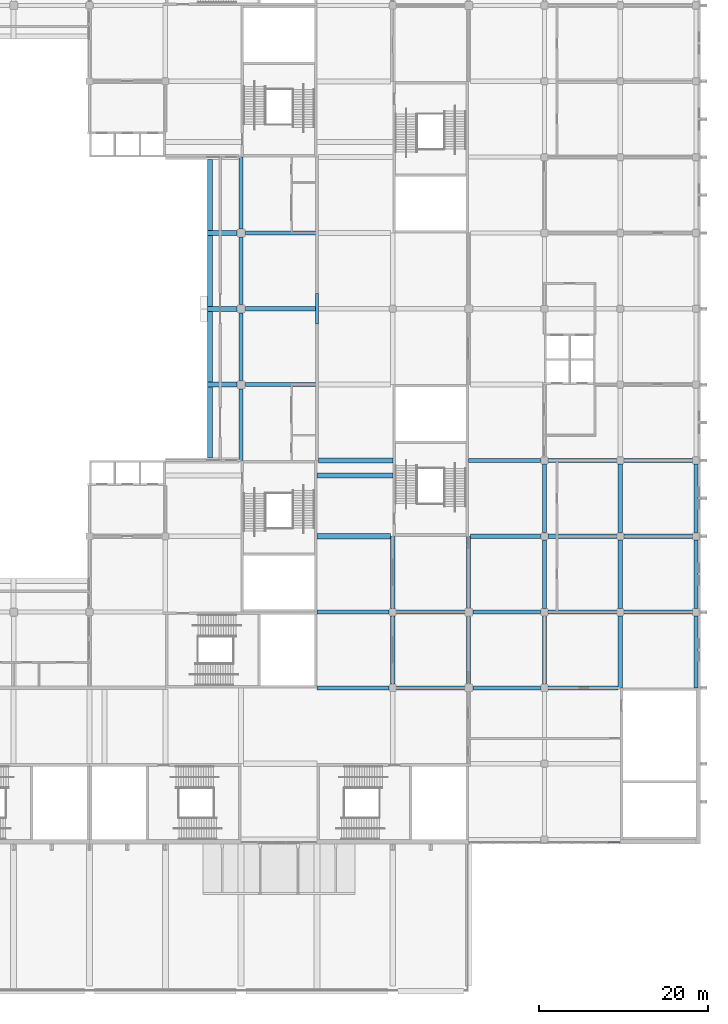
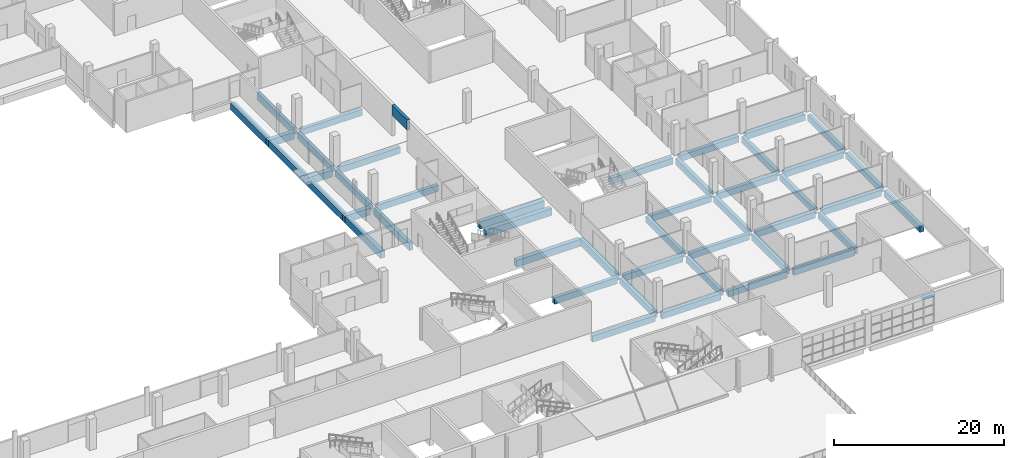
# One storey, part 50 of 168: 46 beams, 1 member, 1 element without a shape of its own.
"""IFC4 building model written with IfcOpenShell, lengths in metres."""

from ifc_helpers import new_model, si_unit, direction, frame, origin, origin_2d, place, context, subcontext, project, spatial, rectangle, extrude, material, material_profile, profile_set, type_object, element, aggregate, save


model = new_model("IFC4")

# Units and contexts
model_context = context("Model", 3, precision=1e-05, world=origin(), true_north=direction((0.0, 1.0)))
body_context = subcontext(model_context, "Body", "Model", "MODEL_VIEW")
ifc_project = project(units=[si_unit("LENGTHUNIT", "METRE"), si_unit("AREAUNIT", "SQUARE_METRE"), si_unit("VOLUMEUNIT", "CUBIC_METRE"), si_unit("PLANEANGLEUNIT", "RADIAN"), si_unit("MASSUNIT", "GRAM", prefix="KILO")], contexts=[model_context])

# Site, building, storey
site_placement = place(None, origin())
site = spatial("IfcSite", under=ifc_project, at=site_placement, CompositionType="ELEMENT")
building_placement = place(site_placement, origin())
building = spatial("IfcBuilding", under=site, at=building_placement, Name="Silverbay Arena", CompositionType="ELEMENT")
storey_placement = place(building_placement, frame((0.0, 0.0, 7.0)))
storey = spatial("IfcBuildingStorey", under=building, at=storey_placement, Name="L01", CompositionType="ELEMENT", Elevation=7.0)

# Beams
ifc_material_1 = material(Name="Concrete Grade C45", Category="concrete")
ifc_material_profile_1 = material_profile(ifc_material_1, rectangle(XDim=0.5, YDim=1.0, at=origin_2d()), Name="RC 500x1000")
ifc_profile_set_1 = profile_set([ifc_material_profile_1], Name="Concrete Grade C45")
beam_type_1 = type_object("IfcBeamType", Name="RC beam 500x1000", PredefinedType="BEAM", material=ifc_profile_set_1)
for number, where, z_axis, x_axis, name in (
    (1, (180.0, 63.0, -0.85009765625), (0.0, 1.0, 0.0), (-1.0, 0.0, 0.0), "Floor beam L01 310"),
    (2, (180.0, 90.5, -0.85009765625), (0.0, 1.0, 0.0), (-1.0, 0.0, 0.0), "Floor beam L01 313"),
):
    element("IfcBeam", number, at=place(storey_placement, frame(where, z_axis=z_axis, x_axis=x_axis)), inside=storey, type_object=beam_type_1, Name=name, PredefinedType="BEAM", context=body_context, shape_type="SweptSolid", body=[
        extrude(rectangle(XDim=0.5, YDim=1.0, at=origin_2d()), origin(), (0.0, 0.0, 1.0), 8.5),
    ])
beam_1_placement = place(storey_placement, frame((198.0, 45.449951171875, -0.85009765625), z_axis=(0.0, 1.0, 0.0), x_axis=(-1.0, 0.0, 0.0)))
element("IfcBeam", 3, at=beam_1_placement, inside=storey, type_object=beam_type_1, Name="Floor beam L01 317", PredefinedType="BEAM", context=body_context, shape_type="SweptSolid", body=[
    extrude(rectangle(XDim=0.5, YDim=1.0, at=origin_2d()), origin(), (0.0, 0.0, 1.0), 8.550048828125),
])
ifc_material_2 = material(Name="Concrete Grade C45", Category="concrete")
ifc_material_profile_2 = material_profile(ifc_material_2, rectangle(XDim=0.5, YDim=0.89990234375, at=origin_2d()), Name="RC 500x900")
ifc_profile_set_2 = profile_set([ifc_material_profile_2], Name="Concrete Grade C45")
beam_type_2 = type_object("IfcBeamType", Name="RC beam 500x900", PredefinedType="BEAM", material=ifc_profile_set_2)
beam_2_placement = place(storey_placement, frame((189.0, 36.0, -0.800048828125), z_axis=(1.0, 0.0, 0.0), x_axis=(0.0, 1.0, 0.0)))
element("IfcBeam", 4, at=beam_2_placement, inside=storey, type_object=beam_type_2, Name="Floor beam L01 023", PredefinedType="BEAM", context=body_context, shape_type="SweptSolid", body=[
    extrude(rectangle(XDim=0.5, YDim=0.89990234375, at=origin_2d()), origin(), (0.0, 0.0, 1.0), 8.550048828125),
])
for number, where, z_axis, x_axis, name in (
    (5, (198.449951171875, 36.0, -0.800048828125), (1.0, 0.0, 0.0), (0.0, 1.0, 0.0), "Floor beam L01 024"),
    (6, (207.5, 36.0, -0.800048828125), (1.0, 0.0, 0.0), (0.0, 1.0, 0.0), "Floor beam L01 025"),
):
    element("IfcBeam", number, at=place(storey_placement, frame(where, z_axis=z_axis, x_axis=x_axis)), inside=storey, type_object=beam_type_2, Name=name, PredefinedType="BEAM", context=body_context, shape_type="SweptSolid", body=[
        extrude(rectangle(XDim=0.5, YDim=0.89990234375, at=origin_2d()), origin(), (0.0, 0.0, 1.0), 8.050048828125),
    ])
beam_3_placement = place(storey_placement, frame((216.449951171875, 36.0, -0.800048828125), z_axis=(1.0, 0.0, 0.0), x_axis=(0.0, 1.0, 0.0)))
element("IfcBeam", 7, at=beam_3_placement, inside=storey, type_object=beam_type_2, Name="Floor beam L01 026", PredefinedType="BEAM", context=body_context, shape_type="SweptSolid", body=[
    extrude(rectangle(XDim=0.5, YDim=0.89990234375, at=origin_2d()), origin(), (0.0, 0.0, 1.0), 8.300048828125),
])
beam_4_placement = place(storey_placement, frame((189.0, 45.0, -0.800048828125), z_axis=(1.0, 0.0, 0.0), x_axis=(0.0, 1.0, 0.0)))
element("IfcBeam", 8, at=beam_4_placement, inside=storey, type_object=beam_type_2, Name="Floor beam L01 041", PredefinedType="BEAM", context=body_context, shape_type="SweptSolid", body=[
    extrude(rectangle(XDim=0.5, YDim=0.89990234375, at=origin_2d()), origin(), (0.0, 0.0, 1.0), 8.550048828125),
])
for number, where, z_axis, x_axis, name in (
    (9, (198.449951171875, 45.0, -0.800048828125), (1.0, 0.0, 0.0), (0.0, 1.0, 0.0), "Floor beam L01 042"),
    (10, (207.5, 45.0, -0.800048828125), (1.0, 0.0, 0.0), (0.0, 1.0, 0.0), "Floor beam L01 043"),
):
    element("IfcBeam", number, at=place(storey_placement, frame(where, z_axis=z_axis, x_axis=x_axis)), inside=storey, type_object=beam_type_2, Name=name, PredefinedType="BEAM", context=body_context, shape_type="SweptSolid", body=[
        extrude(rectangle(XDim=0.5, YDim=0.89990234375, at=origin_2d()), origin(), (0.0, 0.0, 1.0), 8.050048828125),
    ])
for number, where, z_axis, x_axis, name in (
    (11, (216.449951171875, 45.0, -0.800048828125), (1.0, 0.0, 0.0), (0.0, 1.0, 0.0), "Floor beam L01 044"),
    (12, (225.449951171875, 45.0, -0.800048828125), (1.0, 0.0, 0.0), (0.0, 1.0, 0.0), "Floor beam L01 045"),
):
    element("IfcBeam", number, at=place(storey_placement, frame(where, z_axis=z_axis, x_axis=x_axis)), inside=storey, type_object=beam_type_2, Name=name, PredefinedType="BEAM", context=body_context, shape_type="SweptSolid", body=[
        extrude(rectangle(XDim=0.5, YDim=0.89990234375, at=origin_2d()), origin(), (0.0, 0.0, 1.0), 8.10009765625),
    ])
beam_5_placement = place(storey_placement, frame((207.25, 54.0, -0.800048828125), z_axis=(1.0, 0.0, 0.0), x_axis=(0.0, 1.0, 0.0)))
element("IfcBeam", 13, at=beam_5_placement, inside=storey, type_object=beam_type_2, Name="Floor beam L01 055", PredefinedType="BEAM", context=body_context, shape_type="SweptSolid", body=[
    extrude(rectangle(XDim=0.5, YDim=0.89990234375, at=origin_2d()), origin(), (0.0, 0.0, 1.0), 8.300048828125),
])
for number, where, z_axis, x_axis, name in (
    (14, (216.449951171875, 54.0, -0.800048828125), (1.0, 0.0, 0.0), (0.0, 1.0, 0.0), "Floor beam L01 056"),
    (15, (225.449951171875, 54.0, -0.800048828125), (1.0, 0.0, 0.0), (0.0, 1.0, 0.0), "Floor beam L01 057"),
):
    element("IfcBeam", number, at=place(storey_placement, frame(where, z_axis=z_axis, x_axis=x_axis)), inside=storey, type_object=beam_type_2, Name=name, PredefinedType="BEAM", context=body_context, shape_type="SweptSolid", body=[
        extrude(rectangle(XDim=0.5, YDim=0.89990234375, at=origin_2d()), origin(), (0.0, 0.0, 1.0), 8.10009765625),
    ])
beam_6_placement = place(storey_placement, frame((207.0, 63.0, -0.800048828125), z_axis=(1.0, 0.0, 0.0), x_axis=(0.0, 1.0, 0.0)))
element("IfcBeam", 16, at=beam_6_placement, inside=storey, type_object=beam_type_2, Name="Floor beam L01 069", PredefinedType="BEAM", context=body_context, shape_type="SweptSolid", body=[
    extrude(rectangle(XDim=0.5, YDim=0.89990234375, at=origin_2d()), origin(), (0.0, 0.0, 1.0), 8.550048828125),
])
for number, where, z_axis, x_axis, name in (
    (17, (216.449951171875, 63.0, -0.800048828125), (1.0, 0.0, 0.0), (0.0, 1.0, 0.0), "Floor beam L01 070"),
    (18, (225.449951171875, 63.0, -0.800048828125), (1.0, 0.0, 0.0), (0.0, 1.0, 0.0), "Floor beam L01 071"),
):
    element("IfcBeam", number, at=place(storey_placement, frame(where, z_axis=z_axis, x_axis=x_axis)), inside=storey, type_object=beam_type_2, Name=name, PredefinedType="BEAM", context=body_context, shape_type="SweptSolid", body=[
        extrude(rectangle(XDim=0.5, YDim=0.89990234375, at=origin_2d()), origin(), (0.0, 0.0, 1.0), 8.10009765625),
    ])
for number, where, z_axis, x_axis, name in (
    (19, (180.5, 72.0, -0.800048828125), (1.0, 0.0, 0.0), (0.0, 1.0, 0.0), "Floor beam L01 079"),
    (20, (180.5, 81.0, -0.800048828125), (1.0, 0.0, 0.0), (0.0, 1.0, 0.0), "Floor beam L01 092"),
    (21, (180.5, 90.0, -0.800048828125), (1.0, 0.0, 0.0), (0.0, 1.0, 0.0), "Floor beam L01 105"),
):
    element("IfcBeam", number, at=place(storey_placement, frame(where, z_axis=z_axis, x_axis=x_axis)), inside=storey, type_object=beam_type_2, Name=name, PredefinedType="BEAM", context=body_context, shape_type="SweptSolid", body=[
        extrude(rectangle(XDim=0.5, YDim=0.89990234375, at=origin_2d()), origin(), (0.0, 0.0, 1.0), 8.300048828125),
    ])
for number, where, z_axis, x_axis, name in (
    (22, (180.0, 72.5, -0.800048828125), (0.0, 1.0, 0.0), (-1.0, 0.0, 0.0), "Floor beam L01 311"),
    (23, (180.0, 81.5, -0.800048828125), (0.0, 1.0, 0.0), (-1.0, 0.0, 0.0), "Floor beam L01 312"),
):
    element("IfcBeam", number, at=place(storey_placement, frame(where, z_axis=z_axis, x_axis=x_axis)), inside=storey, type_object=beam_type_2, Name=name, PredefinedType="BEAM", context=body_context, shape_type="SweptSolid", body=[
        extrude(rectangle(XDim=0.5, YDim=0.89990234375, at=origin_2d()), origin(), (0.0, 0.0, 1.0), 8.0),
    ])
beam_7_placement = place(storey_placement, frame((198.0, 36.449951171875, -0.800048828125), z_axis=(0.0, 1.0, 0.0), x_axis=(-1.0, 0.0, 0.0)))
element("IfcBeam", 24, at=beam_7_placement, inside=storey, type_object=beam_type_2, Name="Floor beam L01 316", PredefinedType="BEAM", context=body_context, shape_type="SweptSolid", body=[
    extrude(rectangle(XDim=0.5, YDim=0.89990234375, at=origin_2d()), origin(), (0.0, 0.0, 1.0), 8.10009765625),
])
beam_8_placement = place(storey_placement, frame((207.0, 36.5, -0.800048828125), z_axis=(0.0, 1.0, 0.0), x_axis=(-1.0, 0.0, 0.0)))
element("IfcBeam", 25, at=beam_8_placement, inside=storey, type_object=beam_type_2, Name="Floor beam L01 324", PredefinedType="BEAM", context=body_context, shape_type="SweptSolid", body=[
    extrude(rectangle(XDim=0.5, YDim=0.89990234375, at=origin_2d()), origin(), (0.0, 0.0, 1.0), 8.0),
])
beam_9_placement = place(storey_placement, frame((207.0, 45.5, -0.800048828125), z_axis=(0.0, 1.0, 0.0), x_axis=(-1.0, 0.0, 0.0)))
element("IfcBeam", 26, at=beam_9_placement, inside=storey, type_object=beam_type_2, Name="Floor beam L01 325", PredefinedType="BEAM", context=body_context, shape_type="SweptSolid", body=[
    extrude(rectangle(XDim=0.5, YDim=0.89990234375, at=origin_2d()), origin(), (0.0, 0.0, 1.0), 8.5),
])
for number, where, z_axis, x_axis, name in (
    (27, (216.0, 36.449951171875, -0.800048828125), (0.0, 1.0, 0.0), (-1.0, 0.0, 0.0), "Floor beam L01 333"),
    (28, (216.0, 45.449951171875, -0.800048828125), (0.0, 1.0, 0.0), (-1.0, 0.0, 0.0), "Floor beam L01 334"),
    (29, (216.0, 54.449951171875, -0.800048828125), (0.0, 1.0, 0.0), (-1.0, 0.0, 0.0), "Floor beam L01 335"),
):
    element("IfcBeam", number, at=place(storey_placement, frame(where, z_axis=z_axis, x_axis=x_axis)), inside=storey, type_object=beam_type_2, Name=name, PredefinedType="BEAM", context=body_context, shape_type="SweptSolid", body=[
        extrude(rectangle(XDim=0.5, YDim=0.89990234375, at=origin_2d()), origin(), (0.0, 0.0, 1.0), 8.10009765625),
    ])
beam_10_placement = place(storey_placement, frame((225.0, 36.0, -0.800048828125), z_axis=(0.0, 1.0, 0.0), x_axis=(-1.0, 0.0, 0.0)))
element("IfcBeam", 30, at=beam_10_placement, inside=storey, type_object=beam_type_2, Name="Floor beam L01 345", PredefinedType="BEAM", context=body_context, shape_type="SweptSolid", body=[
    extrude(rectangle(XDim=0.5, YDim=0.89990234375, at=origin_2d()), origin(), (0.0, 0.0, 1.0), 8.550048828125),
])
for number, where, z_axis, x_axis, name in (
    (31, (225.0, 45.449951171875, -0.800048828125), (0.0, 1.0, 0.0), (-1.0, 0.0, 0.0), "Floor beam L01 346"),
    (32, (225.0, 54.449951171875, -0.800048828125), (0.0, 1.0, 0.0), (-1.0, 0.0, 0.0), "Floor beam L01 347"),
):
    element("IfcBeam", number, at=place(storey_placement, frame(where, z_axis=z_axis, x_axis=x_axis)), inside=storey, type_object=beam_type_2, Name=name, PredefinedType="BEAM", context=body_context, shape_type="SweptSolid", body=[
        extrude(rectangle(XDim=0.5, YDim=0.89990234375, at=origin_2d()), origin(), (0.0, 0.0, 1.0), 8.10009765625),
    ])
beam_11_placement = place(storey_placement, frame((234.0, 36.0, -0.800048828125), z_axis=(0.0, 1.0, 0.0), x_axis=(-1.0, 0.0, 0.0)))
element("IfcBeam", 33, at=beam_11_placement, inside=storey, type_object=beam_type_2, Name="Floor beam L01 355", PredefinedType="BEAM", context=body_context, shape_type="SweptSolid", body=[
    extrude(rectangle(XDim=0.5, YDim=0.89990234375, at=origin_2d()), origin(), (0.0, 0.0, 1.0), 8.550048828125),
])
for number, where, z_axis, x_axis, name in (
    (34, (234.0, 45.449951171875, -0.800048828125), (0.0, 1.0, 0.0), (-1.0, 0.0, 0.0), "Floor beam L01 356"),
    (35, (234.0, 54.449951171875, -0.800048828125), (0.0, 1.0, 0.0), (-1.0, 0.0, 0.0), "Floor beam L01 357"),
):
    element("IfcBeam", number, at=place(storey_placement, frame(where, z_axis=z_axis, x_axis=x_axis)), inside=storey, type_object=beam_type_2, Name=name, PredefinedType="BEAM", context=body_context, shape_type="SweptSolid", body=[
        extrude(rectangle(XDim=0.5, YDim=0.89990234375, at=origin_2d()), origin(), (0.0, 0.0, 1.0), 8.10009765625),
    ])
ifc_material_3 = material(Name="Concrete Grade C45", Category="concrete")
ifc_material_profile_3 = material_profile(ifc_material_3, rectangle(XDim=0.60009765625, YDim=1.0, at=origin_2d()), Name="RC 600x1000")
ifc_profile_set_3 = profile_set([ifc_material_profile_3], Name="Concrete Grade C45")
beam_type_3 = type_object("IfcBeamType", Name="RC beam 600x1000", PredefinedType="BEAM", material=ifc_profile_set_3)
beam_12_placement = place(storey_placement, frame((189.0, 54.0, -0.85009765625), z_axis=(1.0, 0.0, 0.0), x_axis=(0.0, 1.0, 0.0)))
element("IfcBeam", 36, at=beam_12_placement, inside=storey, type_object=beam_type_3, Name="Floor beam L01 054", PredefinedType="BEAM", context=body_context, shape_type="SweptSolid", body=[
    extrude(rectangle(XDim=0.60009765625, YDim=1.0, at=origin_2d()), origin(), (0.0, 0.0, 1.0), 8.75),
])
beam_13_placement = place(storey_placement, frame((189.0, 61.199951171875, -0.85009765625), z_axis=(1.0, 0.0, 0.0), x_axis=(0.0, 1.0, 0.0)))
element("IfcBeam", 37, at=beam_13_placement, inside=storey, type_object=beam_type_3, Name="Floor beam L01 061", PredefinedType="BEAM", context=body_context, shape_type="SweptSolid", body=[
    extrude(rectangle(XDim=0.60009765625, YDim=1.0, at=origin_2d()), origin(), (0.0, 0.0, 1.0), 9.0),
])
beam_14_placement = place(storey_placement, frame((189.199951171875, 63.0, -0.85009765625), z_axis=(1.0, 0.0, 0.0), x_axis=(0.0, 1.0, 0.0)))
element("IfcBeam", 38, at=beam_14_placement, inside=storey, type_object=beam_type_3, Name="Floor beam L01 068", PredefinedType="BEAM", context=body_context, shape_type="SweptSolid", body=[
    extrude(rectangle(XDim=0.60009765625, YDim=1.0, at=origin_2d()), origin(), (0.0, 0.0, 1.0), 8.800048828125),
])
for number, where, z_axis, x_axis, name in (
    (39, (176.0, 72.0, -0.85009765625), (1.0, 0.0, 0.0), (0.0, 1.0, 0.0), "Floor beam L01 078"),
    (40, (176.0, 81.0, -0.85009765625), (1.0, 0.0, 0.0), (0.0, 1.0, 0.0), "Floor beam L01 091"),
    (41, (176.0, 90.0, -0.85009765625), (1.0, 0.0, 0.0), (0.0, 1.0, 0.0), "Floor beam L01 104"),
):
    element("IfcBeam", number, at=place(storey_placement, frame(where, z_axis=z_axis, x_axis=x_axis)), inside=storey, type_object=beam_type_3, Name=name, PredefinedType="BEAM", context=body_context, shape_type="SweptSolid", body=[
        extrude(rectangle(XDim=0.60009765625, YDim=1.0, at=origin_2d()), origin(), (0.0, 0.0, 1.0), 3.5),
    ])
for number, where, z_axis, x_axis, name in (
    (42, (176.300048828125, 63.300048828125, -0.85009765625), (0.0, 1.0, 0.0), (-1.0, 0.0, 0.0), "Floor beam L01 383"),
    (43, (176.300048828125, 72.300048828125, -0.85009765625), (0.0, 1.0, 0.0), (-1.0, 0.0, 0.0), "Floor beam L01 384"),
    (44, (176.300048828125, 81.300048828125, -0.85009765625), (0.0, 1.0, 0.0), (-1.0, 0.0, 0.0), "Floor beam L01 385"),
    (45, (176.300048828125, 90.300048828125, -0.85009765625), (0.0, 1.0, 0.0), (-1.0, 0.0, 0.0), "Floor beam L01 386"),
):
    element("IfcBeam", number, at=place(storey_placement, frame(where, z_axis=z_axis, x_axis=x_axis)), inside=storey, type_object=beam_type_3, Name=name, PredefinedType="BEAM", context=body_context, shape_type="SweptSolid", body=[
        extrude(rectangle(XDim=0.60009765625, YDim=1.0, at=origin_2d()), origin(), (0.0, 0.0, 1.0), 8.39990234375),
    ])
ifc_material_4 = material(Name="Concrete Grade C45", Category="concrete")
ifc_material_profile_4 = material_profile(ifc_material_4, rectangle(XDim=0.39990234375, YDim=1.5, at=origin_2d()), Name="RC 400x1500")
ifc_profile_set_4 = profile_set([ifc_material_profile_4], Name="Concrete Grade C45")
beam_type_4 = type_object("IfcBeamType", Name="RC lintel 400x1500", PredefinedType="BEAM", material=ifc_profile_set_4)
beam_15_placement = place(storey_placement, frame((189.0, 79.199951171875, 3.75), z_axis=(0.0, 1.0, 0.0), x_axis=(-1.0, 0.0, 0.0)))
element("IfcBeam", 46, at=beam_15_placement, inside=storey, type_object=beam_type_4, Name="Lintel over portal L01-E81", PredefinedType="BEAM", context=body_context, shape_type="SweptSolid", body=[
    extrude(rectangle(XDim=0.39990234375, YDim=1.5, at=origin_2d()), origin(), (0.0, 0.0, 1.0), 3.60009765625),
])

# Curtain wall, member
ifc_material_5 = material(Name="Aluminium framed curtain wall", Category="aluminium")
curtain_wall_type = type_object("IfcCurtainWallType", Name="Curtain wall 8600 x 3900", PredefinedType="NOTDEFINED", material=ifc_material_5)
curtain_wall_placement = place(storey_placement, origin())
curtain_wall = element("IfcCurtainWall", 47, at=curtain_wall_placement, inside=storey, type_object=curtain_wall_type, Name="South curtain wall L01 bay 22", PredefinedType="NOTDEFINED")
ifc_material_6 = material(Name="Aluminium", Category="aluminium")
ifc_material_profile_5 = material_profile(ifc_material_6, rectangle(XDim=0.1201171875, YDim=0.050048828125, at=origin_2d()), Name="Transom 50 x 120")
ifc_profile_set_5 = profile_set([ifc_material_profile_5], Name="Aluminium")
member_type = type_object("IfcMemberType", Name="Transom 50 x 120", PredefinedType="USERDEFINED", material=ifc_profile_set_5)
member_placement = place(storey_placement, frame((223.5966796875, 17.669921875, 3.875), z_axis=(1.0, 0.0, 0.0), x_axis=(0.0, 1.0, 0.0)))
member = element("IfcMember", 48, at=member_placement, type_object=member_type, Name="CW1 transom 6.4", ObjectType="TRANSOM", PredefinedType="USERDEFINED", context=body_context, shape_type="SweptSolid", body=[
    extrude(rectangle(XDim=0.1201171875, YDim=0.050048828125, at=origin_2d()), origin(), (0.0, 0.0, 1.0), 1.34326171875),
])
aggregate(curtain_wall, [member])

save(model, "model.ifc")
